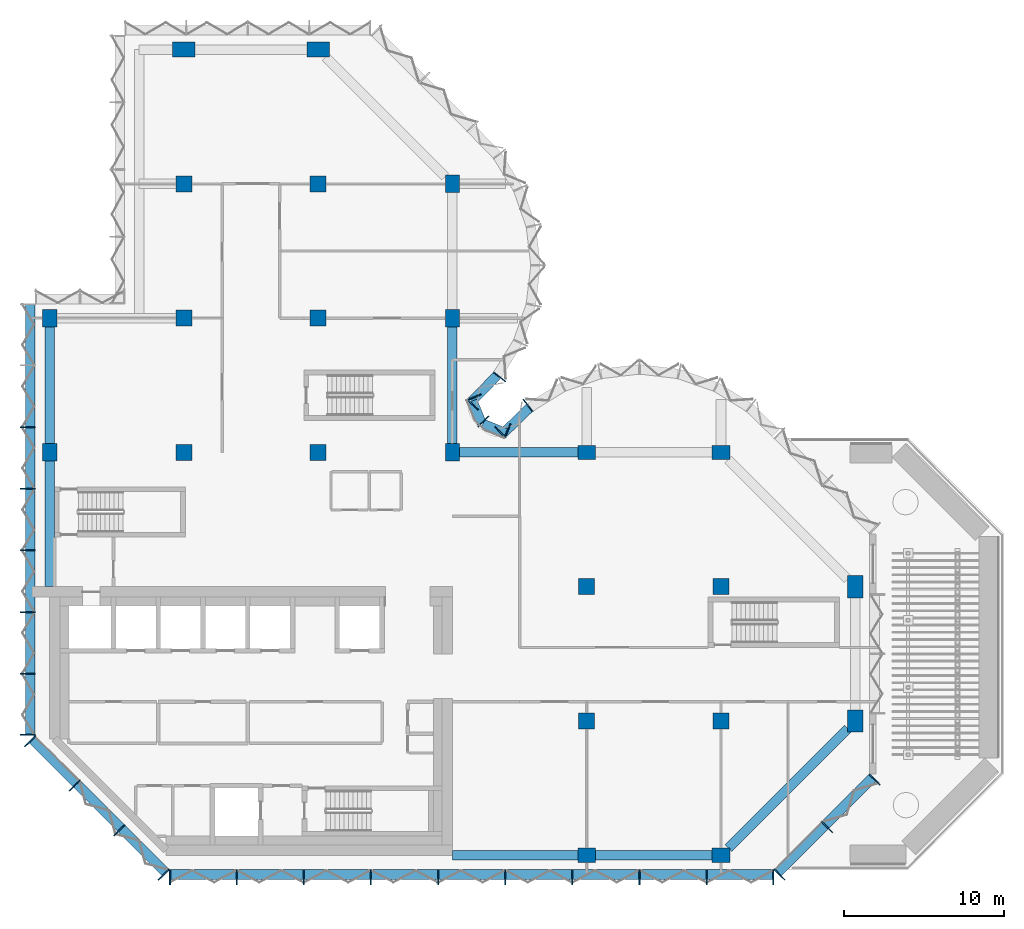
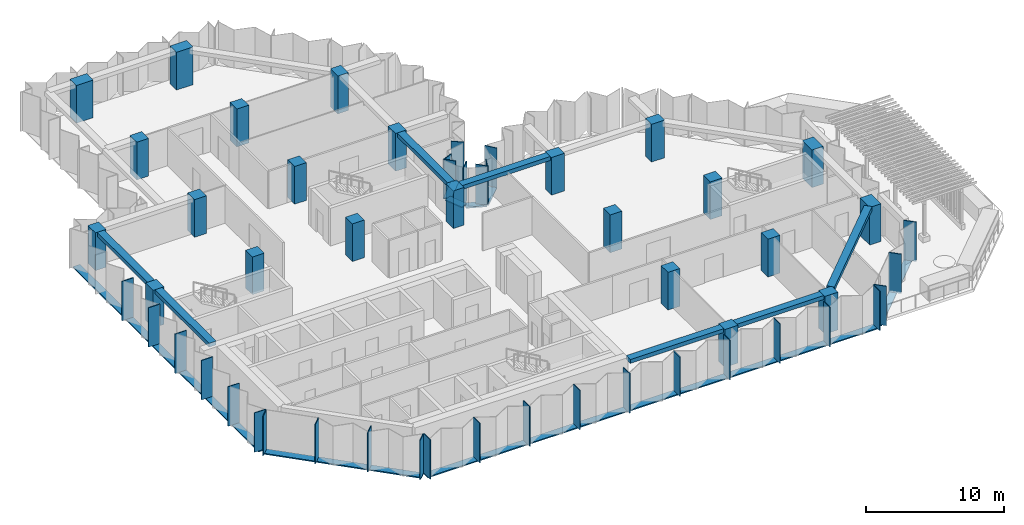
# One storey, part 1 of 14: 38 members, 23 columns, 7 beams, 7 elements without a shape of their own.
"""IFC4 building model written with IfcOpenShell, lengths in metres."""

from ifc_helpers import new_model, si_unit, direction, frame, origin, origin_2d, place, context, subcontext, project, spatial, rectangle, extrude, material, material_profile, profile_set, type_object, element, aggregate, save


model = new_model("IFC4")

# Units and contexts
model_context = context("Model", 3, precision=1e-05, world=origin(), true_north=direction((0.0, 1.0)))
body_context = subcontext(model_context, "Body", "Model", "MODEL_VIEW")
ifc_project = project(units=[si_unit("LENGTHUNIT", "METRE"), si_unit("AREAUNIT", "SQUARE_METRE"), si_unit("VOLUMEUNIT", "CUBIC_METRE"), si_unit("PLANEANGLEUNIT", "RADIAN"), si_unit("MASSUNIT", "GRAM", prefix="KILO")], contexts=[model_context])

# Site, building, storey
site_placement = place(None, origin())
site = spatial("IfcSite", under=ifc_project, at=site_placement, CompositionType="ELEMENT")
building_placement = place(site_placement, origin())
building = spatial("IfcBuilding", under=site, at=building_placement, Name="Brevane Broadcast Tower", CompositionType="ELEMENT")
storey_placement = place(building_placement, frame((0.0, 0.0, 184.800048828125)))
storey = spatial("IfcBuildingStorey", under=building, at=storey_placement, Name="L46", CompositionType="ELEMENT", Elevation=184.800048828125)

# Columns
ifc_material_1 = material(Name="Concrete C60/75", Category="concrete")
ifc_material_profile_1 = material_profile(ifc_material_1, rectangle(XDim=0.89990234375, YDim=1.10009765625, at=origin_2d()), Name="RC 900x1100")
ifc_profile_set_1 = profile_set([ifc_material_profile_1], Name="Concrete C60/75")
column_type_1 = type_object("IfcColumnType", Name="RC COLUMN EDGE 900x1100 C60/75", PredefinedType="COLUMN", material=ifc_profile_set_1)
for number, where, z_axis, x_axis, name in (
    (1, (0.0, 25.199951171875, 0.0), (0.0, 0.0, 1.0), (1.0, 0.0, 0.0), "CE11 1/D"),
    (2, (0.0, 33.60009765625, 0.0), (0.0, 0.0, 1.0), (1.0, 0.0, 0.0), "CE11 1/E"),
    (3, (25.199951171875, 25.199951171875, 0.0), (0.0, 0.0, 1.0), (1.0, 0.0, 0.0), "CE11 4/D"),
    (4, (25.199951171875, 33.60009765625, 0.0), (0.0, 0.0, 1.0), (1.0, 0.0, 0.0), "CE11 4/E"),
    (5, (25.199951171875, 42.0, 0.0), (0.0, 0.0, 1.0), (1.0, 0.0, 0.0), "CE11 4/F"),
    (6, (33.60009765625, 0.0, 0.0), (0.0, 0.0, 1.0), (0.0, 1.0, 0.0), "CE11 5/A"),
    (7, (33.60009765625, 25.199951171875, 0.0), (0.0, 0.0, 1.0), (0.0, 1.0, 0.0), "CE11 5/D"),
    (8, (42.0, 0.0, 0.0), (0.0, 0.0, 1.0), (0.0, 1.0, 0.0), "CE11 6/A"),
    (9, (42.0, 25.199951171875, 0.0), (0.0, 0.0, 1.0), (0.0, 1.0, 0.0), "CE11 6/D"),
):
    element("IfcColumn", number, at=place(storey_placement, frame(where, z_axis=z_axis, x_axis=x_axis)), inside=storey, type_object=column_type_1, Name=name, PredefinedType="COLUMN", context=body_context, shape_type="SweptSolid", body=[
        extrude(rectangle(XDim=0.89990234375, YDim=1.10009765625, at=origin_2d()), origin(), (0.0, 0.0, 1.0), 3.349853515625),
    ])
ifc_material_profile_2 = material_profile(ifc_material_1, rectangle(XDim=1.0, YDim=1.0, at=origin_2d()), Name="RC 1000x1000")
ifc_profile_set_2 = profile_set([ifc_material_profile_2], Name="Concrete C60/75")
column_type_2 = type_object("IfcColumnType", Name="RC COLUMN INTERIOR 1000x1000 C60/75", PredefinedType="COLUMN", material=ifc_profile_set_2)
for number, where, z_axis, x_axis, name in (
    (10, (8.39990234375, 25.199951171875, 0.0), (0.0, 0.0, 1.0), (1.0, 0.0, 0.0), "CI12 2/D"),
    (11, (8.39990234375, 33.60009765625, 0.0), (0.0, 0.0, 1.0), (1.0, 0.0, 0.0), "CI12 2/E"),
    (12, (8.39990234375, 42.0, 0.0), (0.0, 0.0, 1.0), (1.0, 0.0, 0.0), "CI12 2/F"),
    (13, (16.800048828125, 25.199951171875, 0.0), (0.0, 0.0, 1.0), (1.0, 0.0, 0.0), "CI12 3/D"),
    (14, (16.800048828125, 33.60009765625, 0.0), (0.0, 0.0, 1.0), (1.0, 0.0, 0.0), "CI12 3/E"),
    (15, (16.800048828125, 42.0, 0.0), (0.0, 0.0, 1.0), (1.0, 0.0, 0.0), "CI12 3/F"),
    (16, (33.60009765625, 8.39990234375, 0.0), (0.0, 0.0, 1.0), (1.0, 0.0, 0.0), "CI12 5/B"),
    (17, (33.60009765625, 16.800048828125, 0.0), (0.0, 0.0, 1.0), (1.0, 0.0, 0.0), "CI12 5/C"),
    (18, (42.0, 8.39990234375, 0.0), (0.0, 0.0, 1.0), (1.0, 0.0, 0.0), "CI12 6/B"),
    (19, (42.0, 16.800048828125, 0.0), (0.0, 0.0, 1.0), (1.0, 0.0, 0.0), "CI12 6/C"),
):
    element("IfcColumn", number, at=place(storey_placement, frame(where, z_axis=z_axis, x_axis=x_axis)), inside=storey, type_object=column_type_2, Name=name, PredefinedType="COLUMN", context=body_context, shape_type="SweptSolid", body=[
        extrude(rectangle(XDim=1.0, YDim=1.0, at=origin_2d()), origin(), (0.0, 0.0, 1.0), 3.349853515625),
    ])
ifc_material_profile_3 = material_profile(ifc_material_1, rectangle(XDim=0.949951171875, YDim=1.39990234375, at=origin_2d()), Name="RC 950x1400")
ifc_profile_set_3 = profile_set([ifc_material_profile_3], Name="Concrete C60/75")
column_type_3 = type_object("IfcColumnType", Name="RC COLUMN WING-END 950x1400 C60/75", PredefinedType="COLUMN", material=ifc_profile_set_3)
for number, where, z_axis, x_axis, name in (
    (20, (8.39990234375, 50.39990234375, 0.0), (0.0, 0.0, 1.0), (0.0, 1.0, 0.0), "CW13 2/G"),
    (21, (16.800048828125, 50.39990234375, 0.0), (0.0, 0.0, 1.0), (0.0, 1.0, 0.0), "CW13 3/G"),
    (22, (50.39990234375, 8.39990234375, 0.0), (0.0, 0.0, 1.0), (1.0, 0.0, 0.0), "CW13 7/B"),
    (23, (50.39990234375, 16.800048828125, 0.0), (0.0, 0.0, 1.0), (1.0, 0.0, 0.0), "CW13 7/C"),
):
    element("IfcColumn", number, at=place(storey_placement, frame(where, z_axis=z_axis, x_axis=x_axis)), inside=storey, type_object=column_type_3, Name=name, PredefinedType="COLUMN", context=body_context, shape_type="SweptSolid", body=[
        extrude(rectangle(XDim=0.949951171875, YDim=1.39990234375, at=origin_2d()), origin(), (0.0, 0.0, 1.0), 3.349853515625),
    ])

# Curtain wall, members
ifc_material_2 = material(Name="Aluminium 6063-T6 bronze anodised", Category="aluminium")
curtain_wall_type = type_object("IfcCurtainWallType", Name="CW-1 curtain wall", PredefinedType="NOTDEFINED", material=ifc_material_2)
curtain_wall_1_placement = place(storey_placement, origin())
curtain_wall_1 = element("IfcCurtainWall", 24, at=curtain_wall_1_placement, inside=storey, type_object=curtain_wall_type, Name="CW-1 typical tilted unit L46 south face", PredefinedType="NOTDEFINED")
ifc_material_profile_4 = material_profile(ifc_material_2, rectangle(XDim=0.949951171875, YDim=0.070068359375, at=origin_2d()), Name="RECT 70x950")
ifc_profile_set_4 = profile_set([ifc_material_profile_4], Name="Aluminium 6063-T6 bronze anodised")
member_type_1 = type_object("IfcMemberType", Name="CW-1 mullion 70x950", PredefinedType="MULLION", material=ifc_profile_set_4)
member_1_placement = place(storey_placement, frame((7.534912109375, -1.375, -0.150146484375), z_axis=(0.0, 0.0, 1.0), x_axis=(0.0, 1.0, 0.0)))
member_1 = element("IfcMember", 25, at=member_1_placement, type_object=member_type_1, Name="CW-1 mullion", PredefinedType="MULLION", context=body_context, shape_type="SweptSolid", body=[
    extrude(rectangle(XDim=0.949951171875, YDim=0.070068359375, at=origin_2d()), origin(), (0.0, 0.0, 1.0), 3.5),
])
member_2_placement = place(storey_placement, frame((11.699951171875, -1.375, -0.150146484375), z_axis=(0.0, 0.0, 1.0), x_axis=(0.0, 1.0, 0.0)))
member_2 = element("IfcMember", 26, at=member_2_placement, type_object=member_type_1, Name="CW-1 mullion", PredefinedType="MULLION", context=body_context, shape_type="SweptSolid", body=[
    extrude(rectangle(XDim=0.949951171875, YDim=0.070068359375, at=origin_2d()), origin(), (0.0, 0.0, 1.0), 3.5),
])
member_3_placement = place(storey_placement, frame((15.89990234375, -1.375, -0.150146484375), z_axis=(0.0, 0.0, 1.0), x_axis=(0.0, 1.0, 0.0)))
member_3 = element("IfcMember", 27, at=member_3_placement, type_object=member_type_1, Name="CW-1 mullion", PredefinedType="MULLION", context=body_context, shape_type="SweptSolid", body=[
    extrude(rectangle(XDim=0.949951171875, YDim=0.070068359375, at=origin_2d()), origin(), (0.0, 0.0, 1.0), 3.5),
])
member_4_placement = place(storey_placement, frame((20.10009765625, -1.375, -0.150146484375), z_axis=(0.0, 0.0, 1.0), x_axis=(0.0, 1.0, 0.0)))
member_4 = element("IfcMember", 28, at=member_4_placement, type_object=member_type_1, Name="CW-1 mullion", PredefinedType="MULLION", context=body_context, shape_type="SweptSolid", body=[
    extrude(rectangle(XDim=0.949951171875, YDim=0.070068359375, at=origin_2d()), origin(), (0.0, 0.0, 1.0), 3.5),
])
member_5_placement = place(storey_placement, frame((24.300048828125, -1.375, -0.150146484375), z_axis=(0.0, 0.0, 1.0), x_axis=(0.0, 1.0, 0.0)))
member_5 = element("IfcMember", 29, at=member_5_placement, type_object=member_type_1, Name="CW-1 mullion", PredefinedType="MULLION", context=body_context, shape_type="SweptSolid", body=[
    extrude(rectangle(XDim=0.949951171875, YDim=0.070068359375, at=origin_2d()), origin(), (0.0, 0.0, 1.0), 3.5),
])
member_6_placement = place(storey_placement, frame((28.5, -1.375, -0.150146484375), z_axis=(0.0, 0.0, 1.0), x_axis=(0.0, 1.0, 0.0)))
member_6 = element("IfcMember", 30, at=member_6_placement, type_object=member_type_1, Name="CW-1 mullion", PredefinedType="MULLION", context=body_context, shape_type="SweptSolid", body=[
    extrude(rectangle(XDim=0.949951171875, YDim=0.070068359375, at=origin_2d()), origin(), (0.0, 0.0, 1.0), 3.5),
])
member_7_placement = place(storey_placement, frame((32.699951171875, -1.375, -0.150146484375), z_axis=(0.0, 0.0, 1.0), x_axis=(0.0, 1.0, 0.0)))
member_7 = element("IfcMember", 31, at=member_7_placement, type_object=member_type_1, Name="CW-1 mullion", PredefinedType="MULLION", context=body_context, shape_type="SweptSolid", body=[
    extrude(rectangle(XDim=0.949951171875, YDim=0.070068359375, at=origin_2d()), origin(), (0.0, 0.0, 1.0), 3.5),
])
member_8_placement = place(storey_placement, frame((36.89990234375, -1.375, -0.150146484375), z_axis=(0.0, 0.0, 1.0), x_axis=(0.0, 1.0, 0.0)))
member_8 = element("IfcMember", 32, at=member_8_placement, type_object=member_type_1, Name="CW-1 mullion", PredefinedType="MULLION", context=body_context, shape_type="SweptSolid", body=[
    extrude(rectangle(XDim=0.949951171875, YDim=0.070068359375, at=origin_2d()), origin(), (0.0, 0.0, 1.0), 3.5),
])
member_9_placement = place(storey_placement, frame((41.10009765625, -1.375, -0.150146484375), z_axis=(0.0, 0.0, 1.0), x_axis=(0.0, 1.0, 0.0)))
member_9 = element("IfcMember", 33, at=member_9_placement, type_object=member_type_1, Name="CW-1 mullion", PredefinedType="MULLION", context=body_context, shape_type="SweptSolid", body=[
    extrude(rectangle(XDim=0.949951171875, YDim=0.070068359375, at=origin_2d()), origin(), (0.0, 0.0, 1.0), 3.5),
])
member_10_placement = place(storey_placement, frame((45.264892578125, -1.375, -0.150146484375), z_axis=(0.0, 0.0, 1.0), x_axis=(0.0, 1.0, 0.0)))
member_10 = element("IfcMember", 34, at=member_10_placement, type_object=member_type_1, Name="CW-1 mullion", PredefinedType="MULLION", context=body_context, shape_type="SweptSolid", body=[
    extrude(rectangle(XDim=0.949951171875, YDim=0.070068359375, at=origin_2d()), origin(), (0.0, 0.0, 1.0), 3.5),
])

curtain_wall_2_placement = place(storey_placement, origin())
curtain_wall_2 = element("IfcCurtainWall", 35, at=curtain_wall_2_placement, inside=storey, type_object=curtain_wall_type, Name="CW-1 typical tilted unit L46 south-east chamfer", PredefinedType="NOTDEFINED")
member_11_placement = place(storey_placement, frame((45.66064453125, -1.211181640625, -0.150146484375), z_axis=(0.0, 0.0, 1.0), x_axis=(-0.707106781187, 0.707106781187, 0.0)))
member_11 = element("IfcMember", 36, at=member_11_placement, type_object=member_type_1, Name="CW-1 mullion", PredefinedType="MULLION", context=body_context, shape_type="SweptSolid", body=[
    extrude(rectangle(XDim=0.949951171875, YDim=0.070068359375, at=origin_2d()), origin(), (0.0, 0.0, 1.0), 3.5),
])
member_12_placement = place(storey_placement, frame((48.635986328125, 1.76416015625, -0.150146484375), z_axis=(0.0, 0.0, 1.0), x_axis=(-0.707106781187, 0.707106781187, 0.0)))
member_12 = element("IfcMember", 37, at=member_12_placement, type_object=member_type_1, Name="CW-1 mullion", PredefinedType="MULLION", context=body_context, shape_type="SweptSolid", body=[
    extrude(rectangle(XDim=0.949951171875, YDim=0.070068359375, at=origin_2d()), origin(), (0.0, 0.0, 1.0), 3.5),
])
member_13_placement = place(storey_placement, frame((51.611083984375, 4.7392578125, -0.150146484375), z_axis=(0.0, 0.0, 1.0), x_axis=(-0.707106781187, 0.707106781187, 0.0)))
member_13 = element("IfcMember", 38, at=member_13_placement, type_object=member_type_1, Name="CW-1 mullion", PredefinedType="MULLION", context=body_context, shape_type="SweptSolid", body=[
    extrude(rectangle(XDim=0.949951171875, YDim=0.070068359375, at=origin_2d()), origin(), (0.0, 0.0, 1.0), 3.5),
])

curtain_wall_3_placement = place(storey_placement, origin())
curtain_wall_3 = element("IfcCurtainWall", 39, at=curtain_wall_3_placement, inside=storey, type_object=curtain_wall_type, Name="CW-1 typical tilted unit L46 east bow", PredefinedType="NOTDEFINED")
member_14_placement = place(storey_placement, frame((29.927978515625, 28.1455078125, -0.150146484375), z_axis=(0.0, 0.0, 1.0), x_axis=(0.614769698862, -0.788706673841, 0.0)))
member_14 = element("IfcMember", 40, at=member_14_placement, type_object=member_type_1, Name="CW-1 mullion", PredefinedType="MULLION", context=body_context, shape_type="SweptSolid", body=[
    extrude(rectangle(XDim=0.949951171875, YDim=0.070068359375, at=origin_2d()), origin(), (0.0, 0.0, 1.0), 3.5),
])
member_15_placement = place(storey_placement, frame((28.194091796875, 26.465087890625, -0.150146484375), z_axis=(0.0, 0.0, 1.0), x_axis=(0.696812089895, -0.717253728729, 0.0)))
member_15 = element("IfcMember", 41, at=member_15_placement, type_object=member_type_1, Name="CW-1 mullion", PredefinedType="MULLION", context=body_context, shape_type="SweptSolid", body=[
    extrude(rectangle(XDim=0.949951171875, YDim=0.070068359375, at=origin_2d()), origin(), (0.0, 0.0, 1.0), 3.5),
])

curtain_wall_4_placement = place(storey_placement, origin())
curtain_wall_4 = element("IfcCurtainWall", 42, at=curtain_wall_4_placement, inside=storey, type_object=curtain_wall_type, Name="CW-1 typical tilted unit L46 inner corner", PredefinedType="NOTDEFINED")
member_16_placement = place(storey_placement, frame((28.6494140625, 26.55224609375, -0.150146484375), z_axis=(0.0, 0.0, 1.0), x_axis=(-0.382683432365, -0.923879532511, 0.0)))
member_16 = element("IfcMember", 43, at=member_16_placement, type_object=member_type_1, Name="CW-1 mullion", PredefinedType="MULLION", context=body_context, shape_type="SweptSolid", body=[
    extrude(rectangle(XDim=0.949951171875, YDim=0.070068359375, at=origin_2d()), origin(), (0.0, 0.0, 1.0), 3.5),
])
member_17_placement = place(storey_placement, frame((27.138916015625, 27.138916015625, -0.150146484375), z_axis=(0.0, 0.0, 1.0), x_axis=(-0.707106781187, -0.707106781187, 0.0)))
member_17 = element("IfcMember", 44, at=member_17_placement, type_object=member_type_1, Name="CW-1 mullion", PredefinedType="MULLION", context=body_context, shape_type="SweptSolid", body=[
    extrude(rectangle(XDim=0.949951171875, YDim=0.070068359375, at=origin_2d()), origin(), (0.0, 0.0, 1.0), 3.5),
])
member_18_placement = place(storey_placement, frame((26.55224609375, 28.6494140625, -0.150146484375), z_axis=(0.0, 0.0, 1.0), x_axis=(-0.923879532511, -0.382683432365, 0.0)))
member_18 = element("IfcMember", 45, at=member_18_placement, type_object=member_type_1, Name="CW-1 mullion", PredefinedType="MULLION", context=body_context, shape_type="SweptSolid", body=[
    extrude(rectangle(XDim=0.949951171875, YDim=0.070068359375, at=origin_2d()), origin(), (0.0, 0.0, 1.0), 3.5),
])

curtain_wall_5_placement = place(storey_placement, origin())
curtain_wall_5 = element("IfcCurtainWall", 46, at=curtain_wall_5_placement, inside=storey, type_object=curtain_wall_type, Name="CW-1 typical tilted unit L46 north bow", PredefinedType="NOTDEFINED")
member_19_placement = place(storey_placement, frame((26.465087890625, 28.194091796875, -0.150146484375), z_axis=(0.0, 0.0, 1.0), x_axis=(-0.717253728729, 0.696812089895, 0.0)))
member_19 = element("IfcMember", 47, at=member_19_placement, type_object=member_type_1, Name="CW-1 mullion", PredefinedType="MULLION", context=body_context, shape_type="SweptSolid", body=[
    extrude(rectangle(XDim=0.949951171875, YDim=0.070068359375, at=origin_2d()), origin(), (0.0, 0.0, 1.0), 3.5),
])
member_20_placement = place(storey_placement, frame((28.1455078125, 29.927978515625, -0.150146484375), z_axis=(0.0, 0.0, 1.0), x_axis=(-0.788706673841, 0.614769698862, 0.0)))
member_20 = element("IfcMember", 48, at=member_20_placement, type_object=member_type_1, Name="CW-1 mullion", PredefinedType="MULLION", context=body_context, shape_type="SweptSolid", body=[
    extrude(rectangle(XDim=0.949951171875, YDim=0.070068359375, at=origin_2d()), origin(), (0.0, 0.0, 1.0), 3.5),
])

curtain_wall_6_placement = place(storey_placement, origin())
curtain_wall_6 = element("IfcCurtainWall", 49, at=curtain_wall_6_placement, inside=storey, type_object=curtain_wall_type, Name="CW-1 typical tilted unit L46 west face", PredefinedType="NOTDEFINED")
member_21_placement = place(storey_placement, frame((-1.375, 26.78564453125, -0.150146484375), z_axis=(0.0, 0.0, 1.0), x_axis=(1.0, 0.0, 0.0)))
member_21 = element("IfcMember", 50, at=member_21_placement, type_object=member_type_1, Name="CW-1 mullion", PredefinedType="MULLION", context=body_context, shape_type="SweptSolid", body=[
    extrude(rectangle(XDim=0.949951171875, YDim=0.070068359375, at=origin_2d()), origin(), (0.0, 0.0, 1.0), 3.5),
])
member_22_placement = place(storey_placement, frame((-1.375, 22.928466796875, -0.150146484375), z_axis=(0.0, 0.0, 1.0), x_axis=(1.0, 0.0, 0.0)))
member_22 = element("IfcMember", 51, at=member_22_placement, type_object=member_type_1, Name="CW-1 mullion", PredefinedType="MULLION", context=body_context, shape_type="SweptSolid", body=[
    extrude(rectangle(XDim=0.949951171875, YDim=0.070068359375, at=origin_2d()), origin(), (0.0, 0.0, 1.0), 3.5),
])
member_23_placement = place(storey_placement, frame((-1.375, 19.071533203125, -0.150146484375), z_axis=(0.0, 0.0, 1.0), x_axis=(1.0, 0.0, 0.0)))
member_23 = element("IfcMember", 52, at=member_23_placement, type_object=member_type_1, Name="CW-1 mullion", PredefinedType="MULLION", context=body_context, shape_type="SweptSolid", body=[
    extrude(rectangle(XDim=0.949951171875, YDim=0.070068359375, at=origin_2d()), origin(), (0.0, 0.0, 1.0), 3.5),
])
member_24_placement = place(storey_placement, frame((-1.375, 15.21435546875, -0.150146484375), z_axis=(0.0, 0.0, 1.0), x_axis=(1.0, 0.0, 0.0)))
member_24 = element("IfcMember", 53, at=member_24_placement, type_object=member_type_1, Name="CW-1 mullion", PredefinedType="MULLION", context=body_context, shape_type="SweptSolid", body=[
    extrude(rectangle(XDim=0.949951171875, YDim=0.070068359375, at=origin_2d()), origin(), (0.0, 0.0, 1.0), 3.5),
])
member_25_placement = place(storey_placement, frame((-1.375, 11.357177734375, -0.150146484375), z_axis=(0.0, 0.0, 1.0), x_axis=(1.0, 0.0, 0.0)))
member_25 = element("IfcMember", 54, at=member_25_placement, type_object=member_type_1, Name="CW-1 mullion", PredefinedType="MULLION", context=body_context, shape_type="SweptSolid", body=[
    extrude(rectangle(XDim=0.949951171875, YDim=0.070068359375, at=origin_2d()), origin(), (0.0, 0.0, 1.0), 3.5),
])
member_26_placement = place(storey_placement, frame((-1.375, 7.534912109375, -0.150146484375), z_axis=(0.0, 0.0, 1.0), x_axis=(1.0, 0.0, 0.0)))
member_26 = element("IfcMember", 55, at=member_26_placement, type_object=member_type_1, Name="CW-1 mullion", PredefinedType="MULLION", context=body_context, shape_type="SweptSolid", body=[
    extrude(rectangle(XDim=0.949951171875, YDim=0.070068359375, at=origin_2d()), origin(), (0.0, 0.0, 1.0), 3.5),
])

curtain_wall_7_placement = place(storey_placement, origin())
curtain_wall_7 = element("IfcCurtainWall", 56, at=curtain_wall_7_placement, inside=storey, type_object=curtain_wall_type, Name="CW-1 typical tilted unit L46 south-west chamfer", PredefinedType="NOTDEFINED")
member_27_placement = place(storey_placement, frame((-1.211181640625, 7.139404296875, -0.150146484375), z_axis=(0.0, 0.0, 1.0), x_axis=(0.707106781187, 0.707106781187, 0.0)))
member_27 = element("IfcMember", 57, at=member_27_placement, type_object=member_type_1, Name="CW-1 mullion", PredefinedType="MULLION", context=body_context, shape_type="SweptSolid", body=[
    extrude(rectangle(XDim=0.949951171875, YDim=0.070068359375, at=origin_2d()), origin(), (0.0, 0.0, 1.0), 3.5),
])
member_28_placement = place(storey_placement, frame((1.564208984375, 4.364013671875, -0.150146484375), z_axis=(0.0, 0.0, 1.0), x_axis=(0.707106781187, 0.707106781187, 0.0)))
member_28 = element("IfcMember", 58, at=member_28_placement, type_object=member_type_1, Name="CW-1 mullion", PredefinedType="MULLION", context=body_context, shape_type="SweptSolid", body=[
    extrude(rectangle(XDim=0.949951171875, YDim=0.070068359375, at=origin_2d()), origin(), (0.0, 0.0, 1.0), 3.5),
])
member_29_placement = place(storey_placement, frame((4.364013671875, 1.564208984375, -0.150146484375), z_axis=(0.0, 0.0, 1.0), x_axis=(0.707106781187, 0.707106781187, 0.0)))
member_29 = element("IfcMember", 59, at=member_29_placement, type_object=member_type_1, Name="CW-1 mullion", PredefinedType="MULLION", context=body_context, shape_type="SweptSolid", body=[
    extrude(rectangle(XDim=0.949951171875, YDim=0.070068359375, at=origin_2d()), origin(), (0.0, 0.0, 1.0), 3.5),
])
member_30_placement = place(storey_placement, frame((7.139404296875, -1.211181640625, -0.150146484375), z_axis=(0.0, 0.0, 1.0), x_axis=(0.707106781187, 0.707106781187, 0.0)))
member_30 = element("IfcMember", 60, at=member_30_placement, type_object=member_type_1, Name="CW-1 mullion", PredefinedType="MULLION", context=body_context, shape_type="SweptSolid", body=[
    extrude(rectangle(XDim=0.949951171875, YDim=0.070068359375, at=origin_2d()), origin(), (0.0, 0.0, 1.0), 3.5),
])

# Member
ifc_material_profile_5 = material_profile(ifc_material_2, rectangle(XDim=0.60009765625, YDim=0.10009765625, at=origin_2d()), Name="RECT 100x600")
ifc_profile_set_5 = profile_set([ifc_material_profile_5], Name="Aluminium 6063-T6 bronze anodised")
member_type_2 = type_object("IfcMemberType", Name="CW-1 transom 100x600", PredefinedType="USERDEFINED", material=ifc_profile_set_5)
member_31_placement = place(storey_placement, frame((7.5, -1.199951171875, -0.199951171875), z_axis=(1.0, 0.0, 0.0), x_axis=(0.0, 1.0, 0.0)))
member_31 = element("IfcMember", 61, at=member_31_placement, type_object=member_type_2, Name="CW-1 transom", ObjectType="TRANSOM", PredefinedType="USERDEFINED", context=body_context, shape_type="SweptSolid", body=[
    extrude(rectangle(XDim=0.60009765625, YDim=0.10009765625, at=origin_2d()), origin(), (0.0, 0.0, 1.0), 37.800048828125),
])

aggregate(curtain_wall_1, [member_1, member_2, member_3, member_4, member_5, member_6, member_7, member_8, member_9, member_10, member_31])

member_32_placement = place(storey_placement, frame((45.51220703125, -1.112060546875, -0.199951171875), z_axis=(0.707106781187, 0.707106781187, 0.0), x_axis=(-0.707106781187, 0.707106781187, 0.0)))
member_32 = element("IfcMember", 62, at=member_32_placement, type_object=member_type_2, Name="CW-1 transom", ObjectType="TRANSOM", PredefinedType="USERDEFINED", context=body_context, shape_type="SweptSolid", body=[
    extrude(rectangle(XDim=0.60009765625, YDim=0.10009765625, at=origin_2d()), origin(), (0.0, 0.0, 1.0), 8.4853515625),
])

aggregate(curtain_wall_2, [member_11, member_12, member_13, member_32])

member_33_placement = place(storey_placement, frame((29.99951171875, 27.974365234375, -0.199951171875), z_axis=(-0.71724215871, -0.696823999134, 0.0), x_axis=(0.696823999134, -0.71724215871, 0.0)))
member_33 = element("IfcMember", 63, at=member_33_placement, type_object=member_type_2, Name="CW-1 transom", ObjectType="TRANSOM", PredefinedType="USERDEFINED", context=body_context, shape_type="SweptSolid", body=[
    extrude(rectangle(XDim=0.60009765625, YDim=0.10009765625, at=origin_2d()), origin(), (0.0, 0.0, 1.0), 2.247802734375),
])

aggregate(curtain_wall_3, [member_14, member_15, member_33])

member_34_placement = place(storey_placement, frame((28.528076171875, 26.40673828125, -0.199951171875), z_axis=(-0.923883243627, 0.382674472816, 0.0), x_axis=(-0.382674472816, -0.923883243627, 0.0)))
member_34 = element("IfcMember", 64, at=member_34_placement, type_object=member_type_2, Name="CW-1 transom", ObjectType="TRANSOM", PredefinedType="USERDEFINED", context=body_context, shape_type="SweptSolid", body=[
    extrude(rectangle(XDim=0.60009765625, YDim=0.10009765625, at=origin_2d()), origin(), (0.0, 0.0, 1.0), 1.536865234375),
])

member_35_placement = place(storey_placement, frame((27.039794921875, 27.0, -0.199951171875), z_axis=(-0.382674472816, 0.923883243627, 0.0), x_axis=(-0.923883243627, -0.382674472816, 0.0)))
member_35 = element("IfcMember", 65, at=member_35_placement, type_object=member_type_2, Name="CW-1 transom", ObjectType="TRANSOM", PredefinedType="USERDEFINED", context=body_context, shape_type="SweptSolid", body=[
    extrude(rectangle(XDim=0.60009765625, YDim=0.10009765625, at=origin_2d()), origin(), (0.0, 0.0, 1.0), 1.536865234375),
])

aggregate(curtain_wall_4, [member_16, member_17, member_18, member_34, member_35])

member_36_placement = place(storey_placement, frame((26.407958984375, 28.38720703125, -0.199951171875), z_axis=(0.696823999134, 0.71724215871, 0.0), x_axis=(-0.71724215871, 0.696823999134, 0.0)))
member_36 = element("IfcMember", 66, at=member_36_placement, type_object=member_type_2, Name="CW-1 transom", ObjectType="TRANSOM", PredefinedType="USERDEFINED", context=body_context, shape_type="SweptSolid", body=[
    extrude(rectangle(XDim=0.60009765625, YDim=0.10009765625, at=origin_2d()), origin(), (0.0, 0.0, 1.0), 2.247802734375),
])

aggregate(curtain_wall_5, [member_19, member_20, member_36])

member_37_placement = place(storey_placement, frame((-1.199951171875, 34.5, -0.199951171875), z_axis=(0.0, -1.0, 0.0), x_axis=(1.0, 0.0, 0.0)))
member_37 = element("IfcMember", 67, at=member_37_placement, type_object=member_type_2, Name="CW-1 transom", ObjectType="TRANSOM", PredefinedType="USERDEFINED", context=body_context, shape_type="SweptSolid", body=[
    extrude(rectangle(XDim=0.60009765625, YDim=0.10009765625, at=origin_2d()), origin(), (0.0, 0.0, 1.0), 27.0),
])

aggregate(curtain_wall_6, [member_21, member_22, member_23, member_24, member_25, member_26, member_37])

member_38_placement = place(storey_placement, frame((-1.112060546875, 7.287841796875, -0.199951171875), z_axis=(0.707106781187, -0.707106781187, 0.0), x_axis=(0.707106781187, 0.707106781187, 0.0)))
member_38 = element("IfcMember", 68, at=member_38_placement, type_object=member_type_2, Name="CW-1 transom", ObjectType="TRANSOM", PredefinedType="USERDEFINED", context=body_context, shape_type="SweptSolid", body=[
    extrude(rectangle(XDim=0.60009765625, YDim=0.10009765625, at=origin_2d()), origin(), (0.0, 0.0, 1.0), 11.879150390625),
])

aggregate(curtain_wall_7, [member_27, member_28, member_29, member_30, member_38])

# Beams
ifc_material_3 = material(Name="Concrete C40/50", Category="concrete")
ifc_material_profile_6 = material_profile(ifc_material_3, rectangle(XDim=0.60009765625, YDim=0.35009765625, at=origin_2d()), Name="RC 600x350")
ifc_profile_set_6 = profile_set([ifc_material_profile_6], Name="Concrete C40/50")
beam_type = type_object("IfcBeamType", Name="RC SPANDREL BEAM 600x350 C40/50", PredefinedType="SPANDREL", material=ifc_profile_set_6)
beam_1_placement = place(storey_placement, frame((25.199951171875, 0.0, 3.175048828125), z_axis=(1.0, 0.0, 0.0), x_axis=(0.0, 1.0, 0.0)))
element("IfcBeam", 69, at=beam_1_placement, inside=storey, type_object=beam_type, Name="EB1 L46-1", PredefinedType="SPANDREL", context=body_context, shape_type="SweptSolid", body=[
    extrude(rectangle(XDim=0.60009765625, YDim=0.35009765625, at=origin_2d()), origin(), (0.0, 0.0, 1.0), 7.85009765625),
])
beam_2_placement = place(storey_placement, frame((34.14990234375, 0.0, 3.175048828125), z_axis=(1.0, 0.0, 0.0), x_axis=(0.0, 1.0, 0.0)))
element("IfcBeam", 70, at=beam_2_placement, inside=storey, type_object=beam_type, Name="EB1 L46-2", PredefinedType="SPANDREL", context=body_context, shape_type="SweptSolid", body=[
    extrude(rectangle(XDim=0.60009765625, YDim=0.35009765625, at=origin_2d()), origin(), (0.0, 0.0, 1.0), 7.300048828125),
])
beam_3_placement = place(storey_placement, frame((42.449951171875, 0.449951171875, 3.175048828125), z_axis=(0.707106781187, 0.707106781187, 0.0), x_axis=(-0.707106781187, 0.707106781187, 0.0)))
element("IfcBeam", 71, at=beam_3_placement, inside=storey, type_object=beam_type, Name="EB1 L46-3", PredefinedType="SPANDREL", context=body_context, shape_type="SweptSolid", body=[
    extrude(rectangle(XDim=0.60009765625, YDim=0.35009765625, at=origin_2d()), origin(), (0.0, 0.0, 1.0), 10.5712890625),
])
beam_4_placement = place(storey_placement, frame((33.050048828125, 25.199951171875, 3.175048828125), z_axis=(-1.0, 0.0, 0.0), x_axis=(0.0, -1.0, 0.0)))
element("IfcBeam", 72, at=beam_4_placement, inside=storey, type_object=beam_type, Name="EB1 L46-7", PredefinedType="SPANDREL", context=body_context, shape_type="SweptSolid", body=[
    extrude(rectangle(XDim=0.60009765625, YDim=0.35009765625, at=origin_2d()), origin(), (0.0, 0.0, 1.0), 7.400146484375),
])
for number, where, z_axis, x_axis, name in (
    (73, (25.199951171875, 25.75, 3.175048828125), (0.0, 1.0, 0.0), (-1.0, 0.0, 0.0), "EB1 L46-8"),
    (74, (0.0, 33.050048828125, 3.175048828125), (0.0, -1.0, 0.0), (1.0, 0.0, 0.0), "EB1 L46-12"),
):
    element("IfcBeam", number, at=place(storey_placement, frame(where, z_axis=z_axis, x_axis=x_axis)), inside=storey, type_object=beam_type, Name=name, PredefinedType="SPANDREL", context=body_context, shape_type="SweptSolid", body=[
        extrude(rectangle(XDim=0.60009765625, YDim=0.35009765625, at=origin_2d()), origin(), (0.0, 0.0, 1.0), 7.300048828125),
    ])
beam_5_placement = place(storey_placement, frame((0.0, 24.64990234375, 3.175048828125), z_axis=(0.0, -1.0, 0.0), x_axis=(1.0, 0.0, 0.0)))
element("IfcBeam", 75, at=beam_5_placement, inside=storey, type_object=beam_type, Name="EB1 L46-13", PredefinedType="SPANDREL", context=body_context, shape_type="SweptSolid", body=[
    extrude(rectangle(XDim=0.60009765625, YDim=0.35009765625, at=origin_2d()), origin(), (0.0, 0.0, 1.0), 7.849853515625),
])

save(model, "model.ifc")
